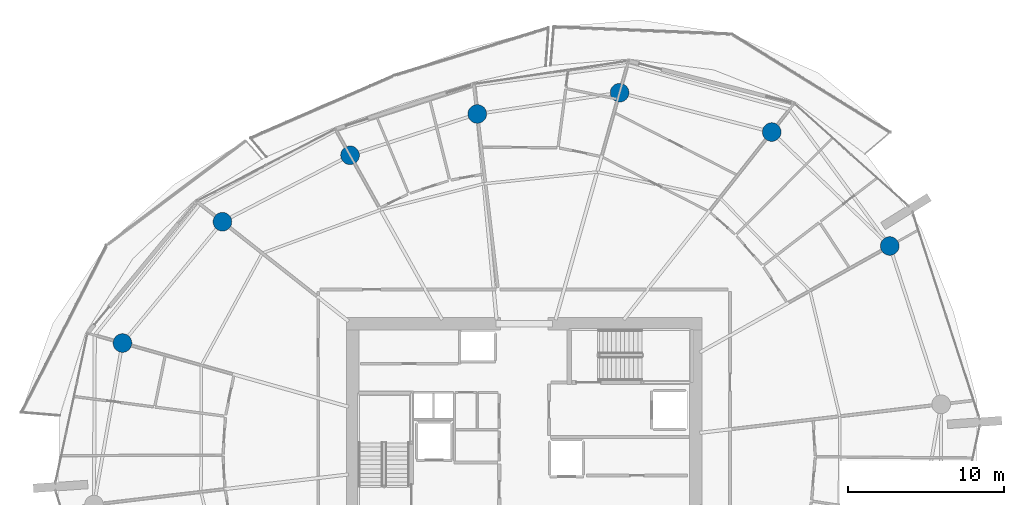
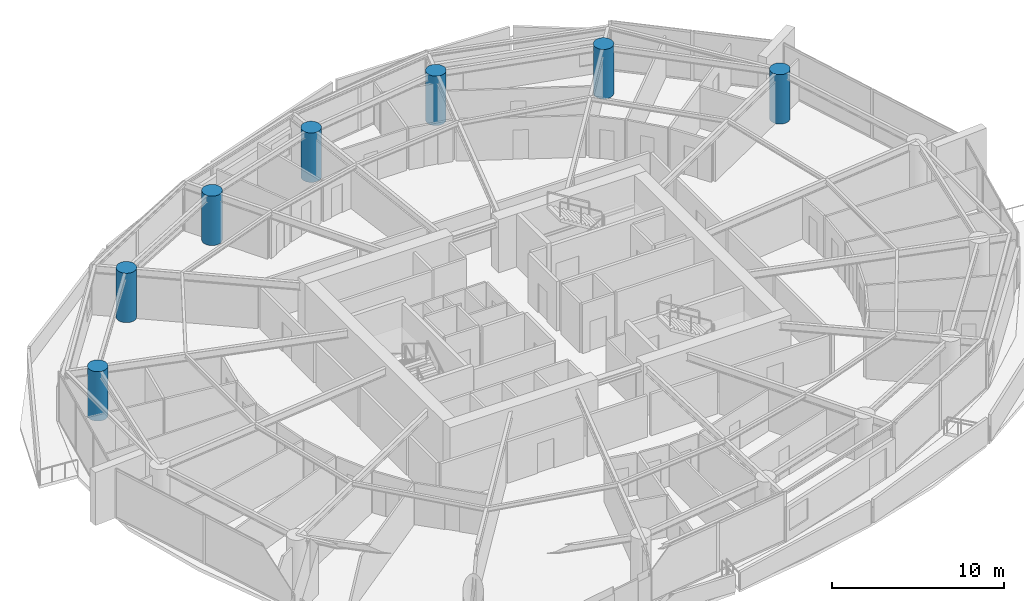
# One storey, part 4 of 23: 7 columns.
"""IFC4 building model written with IfcOpenShell, lengths in metres."""

from ifc_helpers import new_model, si_unit, direction, frame, origin, origin_2d, place, context, subcontext, project, spatial, circle, extrude, material, material_profile, profile_set, type_object, element, save


model = new_model("IFC4")

# Units and contexts
model_context = context("Model", 3, precision=1e-05, world=origin(), true_north=direction((0.0, 1.0)))
body_context = subcontext(model_context, "Body", "Model", "MODEL_VIEW")
ifc_project = project(units=[si_unit("LENGTHUNIT", "METRE"), si_unit("AREAUNIT", "SQUARE_METRE"), si_unit("VOLUMEUNIT", "CUBIC_METRE"), si_unit("PLANEANGLEUNIT", "RADIAN"), si_unit("MASSUNIT", "GRAM", prefix="KILO")], contexts=[model_context])

# Site, building, storey
site_placement = place(None, origin())
site = spatial("IfcSite", under=ifc_project, at=site_placement, CompositionType="ELEMENT")
building_placement = place(site_placement, origin())
building = spatial("IfcBuilding", under=site, at=building_placement, Name="Kazma Halo Residences", CompositionType="ELEMENT")
storey_placement = place(building_placement, frame((0.0, 0.0, 97.64990234375)))
storey = spatial("IfcBuildingStorey", under=building, at=storey_placement, Name="L24", CompositionType="ELEMENT", Elevation=97.64990234375)

# Columns
ifc_material = material(Name="Concrete C80/95", Category="concrete")
ifc_material_profile = material_profile(ifc_material, circle(Radius=0.60009765625, at=origin_2d()), Name="CIRC1200")
ifc_profile_set = profile_set([ifc_material_profile], Name="Concrete C80/95")
column_type = type_object("IfcColumnType", Name="COL-PERIM-1200", PredefinedType="COLUMN", material=ifc_profile_set)
for number, where, z_axis, x_axis, name in (
    (1, (71.9033203125, 55.386474609375, 0.0), (0.0, 0.0, 1.0), (1.0, 0.0, 0.0), "L24 perimeter ring column P01"),
    (2, (64.323486328125, 62.706298828125, 0.0), (0.0, 0.0, 1.0), (1.0, 0.0, 0.0), "L24 perimeter ring column P02"),
    (3, (54.552734375, 65.234130859375, 0.0), (0.0, 0.0, 1.0), (1.0, 0.0, 0.0), "L24 perimeter ring column P03"),
    (4, (45.41162109375, 63.869140625, 0.0), (0.0, 0.0, 1.0), (1.0, 0.0, 0.0), "L24 perimeter ring column P04"),
    (5, (37.23974609375, 61.2138671875, 0.0), (0.0, 0.0, 1.0), (1.0, 0.0, 0.0), "L24 perimeter ring column P05"),
    (6, (29.0419921875, 56.9453125, 0.0), (0.0, 0.0, 1.0), (1.0, 0.0, 0.0), "L24 perimeter ring column P06"),
    (7, (22.623291015625, 49.156982421875, 0.0), (0.0, 0.0, 1.0), (1.0, 0.0, 0.0), "L24 perimeter ring column P07"),
):
    element("IfcColumn", number, at=place(storey_placement, frame(where, z_axis=z_axis, x_axis=x_axis)), inside=storey, type_object=column_type, Name=name, PredefinedType="COLUMN", context=body_context, shape_type="SweptSolid", body=[
        extrude(circle(Radius=0.60009765625, at=origin_2d()), origin(), (0.0, 0.0, 1.0), 3.5),
    ])

save(model, "model.ifc")
